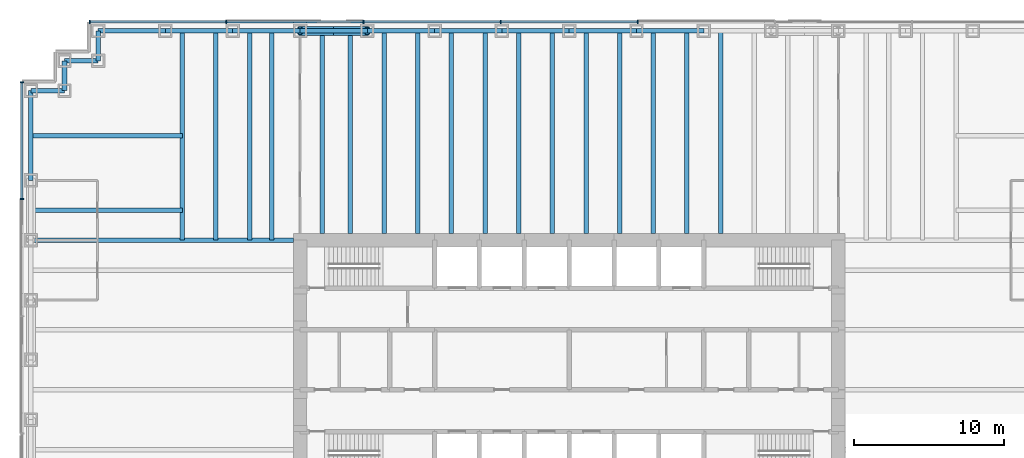
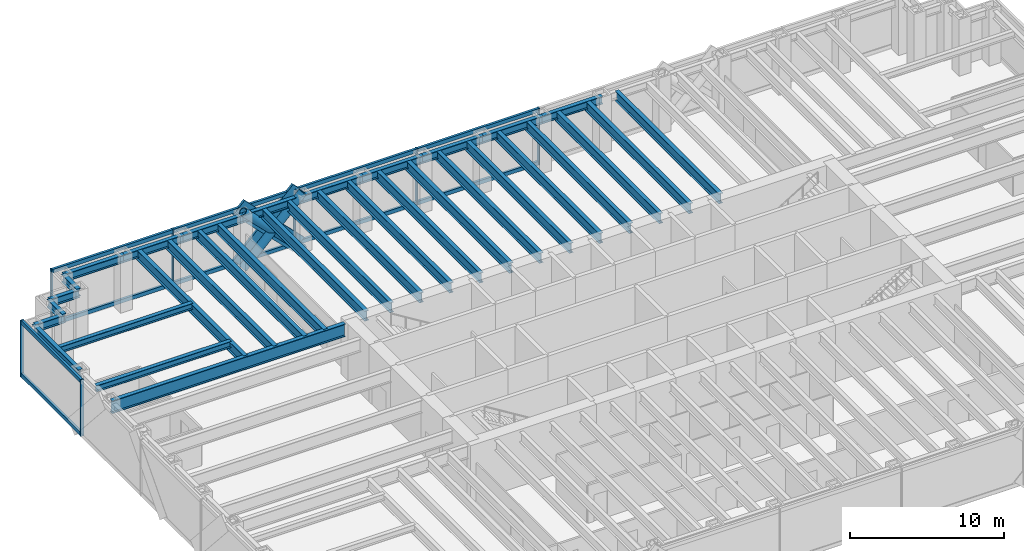
# One storey, part 5 of 13: 34 beams, 21 members, 2 elements without a shape of their own.
"""IFC4 building model written with IfcOpenShell, lengths in metres."""

from ifc_helpers import new_model, si_unit, direction, frame, origin, origin_2d, place, context, subcontext, project, spatial, rectangle, hollow_circle, i_section, extrude, material, material_profile, profile_set, type_object, element, aggregate, save


model = new_model("IFC4")

# Units and contexts
model_context = context("Model", 3, precision=1e-05, world=origin(), true_north=direction((0.0, 1.0)))
body_context = subcontext(model_context, "Body", "Model", "MODEL_VIEW")
ifc_project = project(units=[si_unit("LENGTHUNIT", "METRE"), si_unit("AREAUNIT", "SQUARE_METRE"), si_unit("VOLUMEUNIT", "CUBIC_METRE"), si_unit("PLANEANGLEUNIT", "RADIAN"), si_unit("MASSUNIT", "GRAM", prefix="KILO")], contexts=[model_context])

# Site, building, storey
site_placement = place(None, origin())
site = spatial("IfcSite", under=ifc_project, at=site_placement, CompositionType="ELEMENT")
building_placement = place(site_placement, origin())
building = spatial("IfcBuilding", under=site, at=building_placement, Name="Rheinbord Bourse Tower", CompositionType="ELEMENT")
storey_placement = place(building_placement, frame((0.0, 0.0, 45.5)))
storey = spatial("IfcBuildingStorey", under=building, at=storey_placement, Name="L09", CompositionType="ELEMENT", Elevation=45.5)

# Curtain wall, members
ifc_material_1 = material(Name="Dark glass and black aluminium", Category="aluminium")
curtain_wall_type = type_object("IfcCurtainWallType", Name="CW1 DARK GLASS CURTAIN WALL", PredefinedType="USERDEFINED", material=ifc_material_1)
curtain_wall_1_placement = place(storey_placement, origin())
curtain_wall_1 = element("IfcCurtainWall", 1, at=curtain_wall_1_placement, inside=storey, type_object=curtain_wall_type, Name="Curtain wall CW1 N L09", ObjectType="UNITISED CURTAIN WALL", PredefinedType="USERDEFINED")
ifc_material_2 = material(Name="Black anodised aluminium", Category="aluminium")
ifc_material_profile_1 = material_profile(ifc_material_2, rectangle(XDim=0.179931640625, YDim=1.2099609375, at=origin_2d()), Name="CW1 DIAGONAL MULLION 1210x180")
ifc_profile_set_1 = profile_set([ifc_material_profile_1], Name="Black anodised aluminium")
member_type_1 = type_object("IfcMemberType", Name="CW1 BLACK DIAGONAL MULLION", PredefinedType="USERDEFINED", material=ifc_profile_set_1)
member_1_placement = place(storey_placement, frame((22.5, 46.60009765625, 0.0), z_axis=(-0.707106781187, 0.0, 0.707106781187), x_axis=(0.0, -1.0, 0.0)))
member_1 = element("IfcMember", 2, at=member_1_placement, type_object=member_type_1, Name="CW1 diagonal mullion b", ObjectType="DIAGONAL MULLION", PredefinedType="USERDEFINED", context=body_context, shape_type="SweptSolid", body=[
    extrude(rectangle(XDim=0.179931640625, YDim=1.2099609375, at=origin_2d()), origin(), (0.0, 0.0, 1.0), 6.364013671875),
])
member_2_placement = place(storey_placement, frame((18.0, 46.60009765625, 0.0), z_axis=(0.707106781187, 0.0, 0.707106781187), x_axis=(0.0, 1.0, 0.0)))
member_2 = element("IfcMember", 3, at=member_2_placement, type_object=member_type_1, Name="CW1 diagonal mullion d", ObjectType="DIAGONAL MULLION", PredefinedType="USERDEFINED", context=body_context, shape_type="SweptSolid", body=[
    extrude(rectangle(XDim=0.179931640625, YDim=1.2099609375, at=origin_2d()), origin(), (0.0, 0.0, 1.0), 6.364013671875),
])
ifc_material_3 = material(Name="Black anodised aluminium", Category="aluminium")
ifc_material_profile_2 = material_profile(ifc_material_3, rectangle(XDim=0.25, YDim=0.080078125, at=origin_2d()), Name="CW1 MULLION 80x250")
ifc_profile_set_2 = profile_set([ifc_material_profile_2], Name="Black anodised aluminium")
member_type_2 = type_object("IfcMemberType", Name="CW1 BLACK MULLION", PredefinedType="MULLION", material=ifc_profile_set_2)
member_3_placement = place(storey_placement, frame((40.585693359375, 46.60009765625, 0.0), z_axis=(0.0, 0.0, 1.0), x_axis=(0.0, -1.0, 0.0)))
member_3 = element("IfcMember", 4, at=member_3_placement, type_object=member_type_2, Name="CW1 mullion 4", PredefinedType="MULLION", context=body_context, shape_type="SweptSolid", body=[
    extrude(rectangle(XDim=0.25, YDim=0.080078125, at=origin_2d()), origin(), (0.0, 0.0, 1.0), 4.5),
])
member_4_placement = place(storey_placement, frame((31.414306640625, 46.60009765625, 0.0), z_axis=(0.0, 0.0, 1.0), x_axis=(0.0, -1.0, 0.0)))
member_4 = element("IfcMember", 5, at=member_4_placement, type_object=member_type_2, Name="CW1 mullion 5", PredefinedType="MULLION", context=body_context, shape_type="SweptSolid", body=[
    extrude(rectangle(XDim=0.25, YDim=0.080078125, at=origin_2d()), origin(), (0.0, 0.0, 1.0), 4.5),
])
member_5_placement = place(storey_placement, frame((22.242919921875, 46.60009765625, 0.0), z_axis=(0.0, 0.0, 1.0), x_axis=(0.0, -1.0, 0.0)))
member_5 = element("IfcMember", 6, at=member_5_placement, type_object=member_type_2, Name="CW1 mullion 6", PredefinedType="MULLION", context=body_context, shape_type="SweptSolid", body=[
    extrude(rectangle(XDim=0.25, YDim=0.080078125, at=origin_2d()), origin(), (0.0, 0.0, 1.0), 4.5),
])
member_6_placement = place(storey_placement, frame((13.071533203125, 46.60009765625, 0.0), z_axis=(0.0, 0.0, 1.0), x_axis=(0.0, -1.0, 0.0)))
member_6 = element("IfcMember", 7, at=member_6_placement, type_object=member_type_2, Name="CW1 mullion 7", PredefinedType="MULLION", context=body_context, shape_type="SweptSolid", body=[
    extrude(rectangle(XDim=0.25, YDim=0.080078125, at=origin_2d()), origin(), (0.0, 0.0, 1.0), 4.5),
])
member_7_placement = place(storey_placement, frame((3.93994140625, 46.60009765625, 0.0), z_axis=(0.0, 0.0, 1.0), x_axis=(0.0, -1.0, 0.0)))
member_7 = element("IfcMember", 8, at=member_7_placement, type_object=member_type_2, Name="CW1 mullion 8", PredefinedType="MULLION", context=body_context, shape_type="SweptSolid", body=[
    extrude(rectangle(XDim=0.25, YDim=0.080078125, at=origin_2d()), origin(), (0.0, 0.0, 1.0), 4.5),
])

curtain_wall_2_placement = place(storey_placement, origin())
curtain_wall_2 = element("IfcCurtainWall", 9, at=curtain_wall_2_placement, inside=storey, type_object=curtain_wall_type, Name="Curtain wall CW1 W L09", ObjectType="UNITISED CURTAIN WALL", PredefinedType="USERDEFINED")
member_8_placement = place(storey_placement, frame((-0.60009765625, 42.56005859375, 0.0), z_axis=(0.0, 0.0, 1.0), x_axis=(1.0, 0.0, 0.0)))
member_8 = element("IfcMember", 10, at=member_8_placement, type_object=member_type_2, Name="CW1 mullion 1", PredefinedType="MULLION", context=body_context, shape_type="SweptSolid", body=[
    extrude(rectangle(XDim=0.25, YDim=0.080078125, at=origin_2d()), origin(), (0.0, 0.0, 1.0), 4.5),
])
member_9_placement = place(storey_placement, frame((-0.60009765625, 34.760009765625, 0.0), z_axis=(0.0, 0.0, 1.0), x_axis=(1.0, 0.0, 0.0)))
member_9 = element("IfcMember", 11, at=member_9_placement, type_object=member_type_2, Name="CW1 mullion 2", PredefinedType="MULLION", context=body_context, shape_type="SweptSolid", body=[
    extrude(rectangle(XDim=0.25, YDim=0.080078125, at=origin_2d()), origin(), (0.0, 0.0, 1.0), 4.5),
])

# Member
ifc_material_4 = material(Name="Black anodised aluminium", Category="aluminium")
ifc_material_profile_3 = material_profile(ifc_material_4, rectangle(XDim=0.179931640625, YDim=0.300048828125, at=origin_2d()), Name="CW1 TRANSOM 300x180")
ifc_profile_set_3 = profile_set([ifc_material_profile_3], Name="Black anodised aluminium")
member_type_3 = type_object("IfcMemberType", Name="CW1 BLACK TRANSOM", PredefinedType="USERDEFINED", material=ifc_profile_set_3)
member_10_placement = place(storey_placement, frame((40.545654296875, 46.60009765625, 0.14990234375), z_axis=(-1.0, 0.0, 0.0), x_axis=(0.0, -1.0, 0.0)))
member_10 = element("IfcMember", 12, at=member_10_placement, type_object=member_type_3, Name="CW1 transom 4.1", ObjectType="TRANSOM", PredefinedType="USERDEFINED", context=body_context, shape_type="SweptSolid", body=[
    extrude(rectangle(XDim=0.179931640625, YDim=0.300048828125, at=origin_2d()), origin(), (0.0, 0.0, 1.0), 9.09130859375),
])

member_11_placement = place(storey_placement, frame((40.545654296875, 46.60009765625, 4.35009765625), z_axis=(-1.0, 0.0, 0.0), x_axis=(0.0, -1.0, 0.0)))
member_11 = element("IfcMember", 13, at=member_11_placement, type_object=member_type_3, Name="CW1 transom 4.2", ObjectType="TRANSOM", PredefinedType="USERDEFINED", context=body_context, shape_type="SweptSolid", body=[
    extrude(rectangle(XDim=0.179931640625, YDim=0.300048828125, at=origin_2d()), origin(), (0.0, 0.0, 1.0), 9.09130859375),
])

member_12_placement = place(storey_placement, frame((31.374267578125, 46.60009765625, 0.14990234375), z_axis=(-1.0, 0.0, 0.0), x_axis=(0.0, -1.0, 0.0)))
member_12 = element("IfcMember", 14, at=member_12_placement, type_object=member_type_3, Name="CW1 transom 5.1", ObjectType="TRANSOM", PredefinedType="USERDEFINED", context=body_context, shape_type="SweptSolid", body=[
    extrude(rectangle(XDim=0.179931640625, YDim=0.300048828125, at=origin_2d()), origin(), (0.0, 0.0, 1.0), 9.09130859375),
])

member_13_placement = place(storey_placement, frame((31.374267578125, 46.60009765625, 4.35009765625), z_axis=(-1.0, 0.0, 0.0), x_axis=(0.0, -1.0, 0.0)))
member_13 = element("IfcMember", 15, at=member_13_placement, type_object=member_type_3, Name="CW1 transom 5.2", ObjectType="TRANSOM", PredefinedType="USERDEFINED", context=body_context, shape_type="SweptSolid", body=[
    extrude(rectangle(XDim=0.179931640625, YDim=0.300048828125, at=origin_2d()), origin(), (0.0, 0.0, 1.0), 9.09130859375),
])

member_14_placement = place(storey_placement, frame((22.202880859375, 46.60009765625, 0.14990234375), z_axis=(-1.0, 0.0, 0.0), x_axis=(0.0, -1.0, 0.0)))
member_14 = element("IfcMember", 16, at=member_14_placement, type_object=member_type_3, Name="CW1 transom 6.1", ObjectType="TRANSOM", PredefinedType="USERDEFINED", context=body_context, shape_type="SweptSolid", body=[
    extrude(rectangle(XDim=0.179931640625, YDim=0.300048828125, at=origin_2d()), origin(), (0.0, 0.0, 1.0), 9.091552734375),
])

member_15_placement = place(storey_placement, frame((22.202880859375, 46.60009765625, 4.35009765625), z_axis=(-1.0, 0.0, 0.0), x_axis=(0.0, -1.0, 0.0)))
member_15 = element("IfcMember", 17, at=member_15_placement, type_object=member_type_3, Name="CW1 transom 6.2", ObjectType="TRANSOM", PredefinedType="USERDEFINED", context=body_context, shape_type="SweptSolid", body=[
    extrude(rectangle(XDim=0.179931640625, YDim=0.300048828125, at=origin_2d()), origin(), (0.0, 0.0, 1.0), 9.091552734375),
])

member_16_placement = place(storey_placement, frame((13.031494140625, 46.60009765625, 0.14990234375), z_axis=(-1.0, 0.0, 0.0), x_axis=(0.0, -1.0, 0.0)))
member_16 = element("IfcMember", 18, at=member_16_placement, type_object=member_type_3, Name="CW1 transom 7.1", ObjectType="TRANSOM", PredefinedType="USERDEFINED", context=body_context, shape_type="SweptSolid", body=[
    extrude(rectangle(XDim=0.179931640625, YDim=0.300048828125, at=origin_2d()), origin(), (0.0, 0.0, 1.0), 9.051513671875),
])

member_17_placement = place(storey_placement, frame((13.031494140625, 46.60009765625, 4.35009765625), z_axis=(-1.0, 0.0, 0.0), x_axis=(0.0, -1.0, 0.0)))
member_17 = element("IfcMember", 19, at=member_17_placement, type_object=member_type_3, Name="CW1 transom 7.2", ObjectType="TRANSOM", PredefinedType="USERDEFINED", context=body_context, shape_type="SweptSolid", body=[
    extrude(rectangle(XDim=0.179931640625, YDim=0.300048828125, at=origin_2d()), origin(), (0.0, 0.0, 1.0), 9.051513671875),
])

aggregate(curtain_wall_1, [member_3, member_4, member_5, member_6, member_7, member_10, member_11, member_12, member_13, member_14, member_15, member_16, member_17, member_1, member_2])

member_18_placement = place(storey_placement, frame((-0.60009765625, 42.52001953125, 0.14990234375), z_axis=(0.0, -1.0, 0.0), x_axis=(1.0, 0.0, 0.0)))
member_18 = element("IfcMember", 20, at=member_18_placement, type_object=member_type_3, Name="CW1 transom 1.1", ObjectType="TRANSOM", PredefinedType="USERDEFINED", context=body_context, shape_type="SweptSolid", body=[
    extrude(rectangle(XDim=0.179931640625, YDim=0.300048828125, at=origin_2d()), origin(), (0.0, 0.0, 1.0), 7.719970703125),
])

member_19_placement = place(storey_placement, frame((-0.60009765625, 42.52001953125, 4.35009765625), z_axis=(0.0, -1.0, 0.0), x_axis=(1.0, 0.0, 0.0)))
member_19 = element("IfcMember", 21, at=member_19_placement, type_object=member_type_3, Name="CW1 transom 1.2", ObjectType="TRANSOM", PredefinedType="USERDEFINED", context=body_context, shape_type="SweptSolid", body=[
    extrude(rectangle(XDim=0.179931640625, YDim=0.300048828125, at=origin_2d()), origin(), (0.0, 0.0, 1.0), 7.719970703125),
])

aggregate(curtain_wall_2, [member_8, member_9, member_18, member_19])

# Beams
ifc_material_5 = material(Name="Steel S460", Category="steel")
ifc_material_profile_4 = material_profile(ifc_material_5, i_section(OverallWidth=0.300048828125, OverallDepth=0.800048828125, WebThickness=0.017578125, FlangeThickness=0.032958984375, at=origin_2d()), Name="HEB 800")
ifc_profile_set_4 = profile_set([ifc_material_profile_4], Name="Steel S460")
beam_type_1 = type_object("IfcBeamType", Name="FLOOR BEAM HEB 800", PredefinedType="BEAM", material=ifc_profile_set_4)
for number, where, z_axis, x_axis, name in (
    (22, (10.125, 46.0, 3.919921875), (0.0, -1.0, 0.0), (1.0, 0.0, 0.0), "Floor beam N-9a L10"),
    (23, (12.375, 46.0, 3.919921875), (0.0, -1.0, 0.0), (1.0, 0.0, 0.0), "Floor beam N-9b L10"),
    (24, (14.625, 46.0, 3.919921875), (0.0, -1.0, 0.0), (1.0, 0.0, 0.0), "Floor beam N-13.5a L10"),
    (25, (16.125, 46.0, 3.919921875), (0.0, -1.0, 0.0), (1.0, 0.0, 0.0), "Floor beam N-13.5b L10"),
):
    element("IfcBeam", number, at=place(storey_placement, frame(where, z_axis=z_axis, x_axis=x_axis)), inside=storey, type_object=beam_type_1, Name=name, PredefinedType="BEAM", context=body_context, shape_type="SweptSolid", body=[
        extrude(i_section(OverallWidth=0.300048828125, OverallDepth=0.800048828125, WebThickness=0.017578125, FlangeThickness=0.032958984375, at=origin_2d()), origin(), (0.0, 0.0, 1.0), 14.0),
    ])
for number, where, z_axis, x_axis, name in (
    (26, (19.5, 46.0, 3.919921875), (0.0, -1.0, 0.0), (1.0, 0.0, 0.0), "Floor beam N-18a L10"),
    (27, (21.375, 46.0, 3.919921875), (0.0, -1.0, 0.0), (1.0, 0.0, 0.0), "Floor beam N-18b L10"),
    (28, (23.625, 46.0, 3.919921875), (0.0, -1.0, 0.0), (1.0, 0.0, 0.0), "Floor beam N-22.5a L10"),
    (29, (25.875, 46.0, 3.919921875), (0.0, -1.0, 0.0), (1.0, 0.0, 0.0), "Floor beam N-22.5b L10"),
    (30, (28.125, 46.0, 3.919921875), (0.0, -1.0, 0.0), (1.0, 0.0, 0.0), "Floor beam N-27a L10"),
    (31, (30.375, 46.0, 3.919921875), (0.0, -1.0, 0.0), (1.0, 0.0, 0.0), "Floor beam N-27b L10"),
    (32, (32.625, 46.0, 3.919921875), (0.0, -1.0, 0.0), (1.0, 0.0, 0.0), "Floor beam N-31.5a L10"),
    (33, (34.875, 46.0, 3.919921875), (0.0, -1.0, 0.0), (1.0, 0.0, 0.0), "Floor beam N-31.5b L10"),
    (34, (37.125, 46.0, 3.919921875), (0.0, -1.0, 0.0), (1.0, 0.0, 0.0), "Floor beam N-36a L10"),
    (35, (39.375, 46.0, 3.919921875), (0.0, -1.0, 0.0), (1.0, 0.0, 0.0), "Floor beam N-36b L10"),
    (36, (41.625, 46.0, 3.919921875), (0.0, -1.0, 0.0), (1.0, 0.0, 0.0), "Floor beam N-40.5a L10"),
    (37, (43.875, 46.0, 3.919921875), (0.0, -1.0, 0.0), (1.0, 0.0, 0.0), "Floor beam N-40.5b L10"),
    (38, (46.125, 46.0, 3.919921875), (0.0, -1.0, 0.0), (1.0, 0.0, 0.0), "Floor beam N-45a L10"),
):
    element("IfcBeam", number, at=place(storey_placement, frame(where, z_axis=z_axis, x_axis=x_axis)), inside=storey, type_object=beam_type_1, Name=name, PredefinedType="BEAM", context=body_context, shape_type="SweptSolid", body=[
        extrude(i_section(OverallWidth=0.300048828125, OverallDepth=0.800048828125, WebThickness=0.017578125, FlangeThickness=0.032958984375, at=origin_2d()), origin(), (0.0, 0.0, 1.0), 13.550048828125),
    ])
ifc_material_6 = material(Name="Steel S460", Category="steel")
ifc_material_profile_5 = material_profile(ifc_material_6, i_section(OverallWidth=0.302001953125, OverallDepth=1.008056640625, WebThickness=0.02099609375, FlangeThickness=0.0400390625, at=origin_2d()), Name="HEM 1000")
ifc_profile_set_5 = profile_set([ifc_material_profile_5], Name="Steel S460")
beam_type_2 = type_object("IfcBeamType", Name="GIRDER HEM 1000", PredefinedType="BEAM", material=ifc_profile_set_5)
beam_1_placement = place(storey_placement, frame((0.0, 32.0, 3.81591796875), z_axis=(1.0, 0.0, 0.0), x_axis=(0.0, 1.0, 0.0)))
element("IfcBeam", 39, at=beam_1_placement, inside=storey, type_object=beam_type_2, Name="Girder west 32 L10", PredefinedType="BEAM", context=body_context, shape_type="SweptSolid", body=[
    extrude(i_section(OverallWidth=0.302001953125, OverallDepth=1.008056640625, WebThickness=0.02099609375, FlangeThickness=0.0400390625, at=origin_2d()), origin(), (0.0, 0.0, 1.0), 17.550048828125),
])

# Members
ifc_material_7 = material(Name="Steel S460", Category="steel")
ifc_material_profile_6 = material_profile(ifc_material_7, hollow_circle(Radius=0.304931640625, WallThickness=0.050048828125, at=origin_2d()), Name="CHS 610x50")
ifc_profile_set_6 = profile_set([ifc_material_profile_6], Name="Steel S460")
member_type_4 = type_object("IfcMemberType", Name="MEGABRACE CHS 610x50", PredefinedType="BRACE", material=ifc_profile_set_6)
for number, where, z_axis, x_axis, name in (
    (40, (22.5, 46.0, 0.0), (-0.707106781187, 0.0, 0.707106781187), (0.0, -1.0, 0.0), "Megabrace N face line b L09"),
    (41, (18.0, 46.0, 0.0), (0.707106781187, 0.0, 0.707106781187), (0.0, 1.0, 0.0), "Megabrace N face line d L09"),
):
    element("IfcMember", number, at=place(storey_placement, frame(where, z_axis=z_axis, x_axis=x_axis)), inside=storey, type_object=member_type_4, Name=name, PredefinedType="BRACE", context=body_context, shape_type="SweptSolid", body=[
        extrude(hollow_circle(Radius=0.304931640625, WallThickness=0.050048828125, at=origin_2d()), origin(), (0.0, 0.0, 1.0), 6.364013671875),
    ])

# Beams
ifc_material_8 = material(Name="Steel S460", Category="steel")
ifc_material_profile_7 = material_profile(ifc_material_8, i_section(OverallWidth=0.304931640625, OverallDepth=0.6201171875, WebThickness=0.02099609375, FlangeThickness=0.0400390625, at=origin_2d()), Name="HEM 600")
ifc_profile_set_7 = profile_set([ifc_material_profile_7], Name="Steel S460")
beam_type_3 = type_object("IfcBeamType", Name="SPANDREL HEM 600", PredefinedType="SPANDREL", material=ifc_profile_set_7)
for number, where, z_axis, x_axis, name in (
    (42, (45.0, 46.0, 4.010009765625), (-1.0, 0.0, 0.0), (0.0, -1.0, 0.0), "Spandrel N-45-N-40.5 under L10"),
    (43, (40.5, 46.0, 4.010009765625), (-1.0, 0.0, 0.0), (0.0, -1.0, 0.0), "Spandrel N-40.5-N-36 under L10"),
    (44, (36.0, 46.0, 4.010009765625), (-1.0, 0.0, 0.0), (0.0, -1.0, 0.0), "Spandrel N-36-N-31.5 under L10"),
    (45, (31.5, 46.0, 4.010009765625), (-1.0, 0.0, 0.0), (0.0, -1.0, 0.0), "Spandrel N-31.5-N-27 under L10"),
    (46, (27.0, 46.0, 4.010009765625), (-1.0, 0.0, 0.0), (0.0, -1.0, 0.0), "Spandrel N-27-N-22.5 under L10"),
    (47, (22.5, 46.0, 4.010009765625), (-1.0, 0.0, 0.0), (0.0, -1.0, 0.0), "Spandrel N-22.5-N-18 under L10"),
    (48, (18.0, 46.0, 4.010009765625), (-1.0, 0.0, 0.0), (0.0, -1.0, 0.0), "Spandrel N-18-N-13.5 under L10"),
    (49, (13.5, 46.0, 4.010009765625), (-1.0, 0.0, 0.0), (0.0, -1.0, 0.0), "Spandrel N-13.5-N-9 under L10"),
    (50, (9.0, 46.0, 4.010009765625), (-1.0, 0.0, 0.0), (0.0, -1.0, 0.0), "Spandrel N-9-NW-E under L10"),
):
    element("IfcBeam", number, at=place(storey_placement, frame(where, z_axis=z_axis, x_axis=x_axis)), inside=storey, type_object=beam_type_3, Name=name, PredefinedType="SPANDREL", context=body_context, shape_type="SweptSolid", body=[
        extrude(i_section(OverallWidth=0.304931640625, OverallDepth=0.6201171875, WebThickness=0.02099609375, FlangeThickness=0.0400390625, at=origin_2d()), origin(), (0.0, 0.0, 1.0), 4.5),
    ])
beam_2_placement = place(storey_placement, frame((4.5, 46.0, 4.010009765625), z_axis=(0.0, -1.0, 0.0), x_axis=(1.0, 0.0, 0.0)))
element("IfcBeam", 51, at=beam_2_placement, inside=storey, type_object=beam_type_3, Name="Spandrel NW-E-NW-D under L10", PredefinedType="SPANDREL", context=body_context, shape_type="SweptSolid", body=[
    extrude(i_section(OverallWidth=0.304931640625, OverallDepth=0.6201171875, WebThickness=0.02099609375, FlangeThickness=0.0400390625, at=origin_2d()), origin(), (0.0, 0.0, 1.0), 2.0),
])
beam_3_placement = place(storey_placement, frame((4.5, 44.0, 4.010009765625), z_axis=(-1.0, 0.0, 0.0), x_axis=(0.0, -1.0, 0.0)))
element("IfcBeam", 52, at=beam_3_placement, inside=storey, type_object=beam_type_3, Name="Spandrel NW-D-NW-C under L10", PredefinedType="SPANDREL", context=body_context, shape_type="SweptSolid", body=[
    extrude(i_section(OverallWidth=0.304931640625, OverallDepth=0.6201171875, WebThickness=0.02099609375, FlangeThickness=0.0400390625, at=origin_2d()), origin(), (0.0, 0.0, 1.0), 2.25),
])
beam_4_placement = place(storey_placement, frame((2.25, 44.0, 4.010009765625), z_axis=(0.0, -1.0, 0.0), x_axis=(1.0, 0.0, 0.0)))
element("IfcBeam", 53, at=beam_4_placement, inside=storey, type_object=beam_type_3, Name="Spandrel NW-C-NW-B under L10", PredefinedType="SPANDREL", context=body_context, shape_type="SweptSolid", body=[
    extrude(i_section(OverallWidth=0.304931640625, OverallDepth=0.6201171875, WebThickness=0.02099609375, FlangeThickness=0.0400390625, at=origin_2d()), origin(), (0.0, 0.0, 1.0), 2.0),
])
beam_5_placement = place(storey_placement, frame((2.25, 42.0, 4.010009765625), z_axis=(-1.0, 0.0, 0.0), x_axis=(0.0, -1.0, 0.0)))
element("IfcBeam", 54, at=beam_5_placement, inside=storey, type_object=beam_type_3, Name="Spandrel NW-B-NW-A under L10", PredefinedType="SPANDREL", context=body_context, shape_type="SweptSolid", body=[
    extrude(i_section(OverallWidth=0.304931640625, OverallDepth=0.6201171875, WebThickness=0.02099609375, FlangeThickness=0.0400390625, at=origin_2d()), origin(), (0.0, 0.0, 1.0), 2.25),
])
beam_6_placement = place(storey_placement, frame((0.0, 42.0, 4.010009765625), z_axis=(0.0, -1.0, 0.0), x_axis=(1.0, 0.0, 0.0)))
element("IfcBeam", 55, at=beam_6_placement, inside=storey, type_object=beam_type_3, Name="Spandrel NW-A-W-36 under L10", PredefinedType="SPANDREL", context=body_context, shape_type="SweptSolid", body=[
    extrude(i_section(OverallWidth=0.304931640625, OverallDepth=0.6201171875, WebThickness=0.02099609375, FlangeThickness=0.0400390625, at=origin_2d()), origin(), (0.0, 0.0, 1.0), 6.0),
])
ifc_material_9 = material(Name="Steel S460", Category="steel")
ifc_material_profile_8 = material_profile(ifc_material_9, i_section(OverallWidth=0.300048828125, OverallDepth=0.5, WebThickness=0.014404296875, FlangeThickness=0.028076171875, at=origin_2d()), Name="HEB 500")
ifc_profile_set_8 = profile_set([ifc_material_profile_8], Name="Steel S460")
beam_type_4 = type_object("IfcBeamType", Name="TIE BEAM HEB 500", PredefinedType="JOIST", material=ifc_profile_set_8)
for number, where, z_axis, x_axis, name in (
    (56, (0.0, 34.0, 4.070068359375), (1.0, 0.0, 0.0), (0.0, 1.0, 0.0), "Tie west 34 L10"),
    (57, (0.0, 39.0, 4.070068359375), (1.0, 0.0, 0.0), (0.0, 1.0, 0.0), "Tie west 39 L10"),
):
    element("IfcBeam", number, at=place(storey_placement, frame(where, z_axis=z_axis, x_axis=x_axis)), inside=storey, type_object=beam_type_4, Name=name, PredefinedType="JOIST", context=body_context, shape_type="SweptSolid", body=[
        extrude(i_section(OverallWidth=0.300048828125, OverallDepth=0.5, WebThickness=0.014404296875, FlangeThickness=0.028076171875, at=origin_2d()), origin(), (0.0, 0.0, 1.0), 10.125),
    ])

save(model, "model.ifc")
